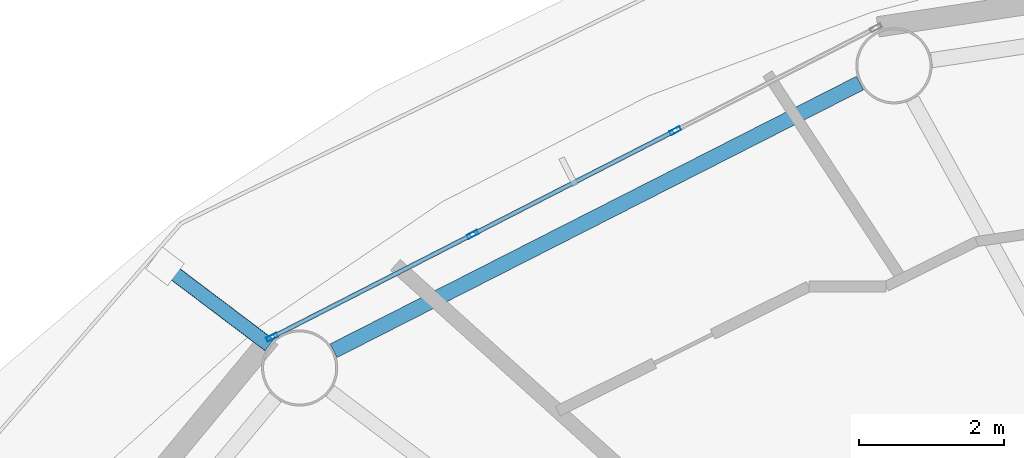
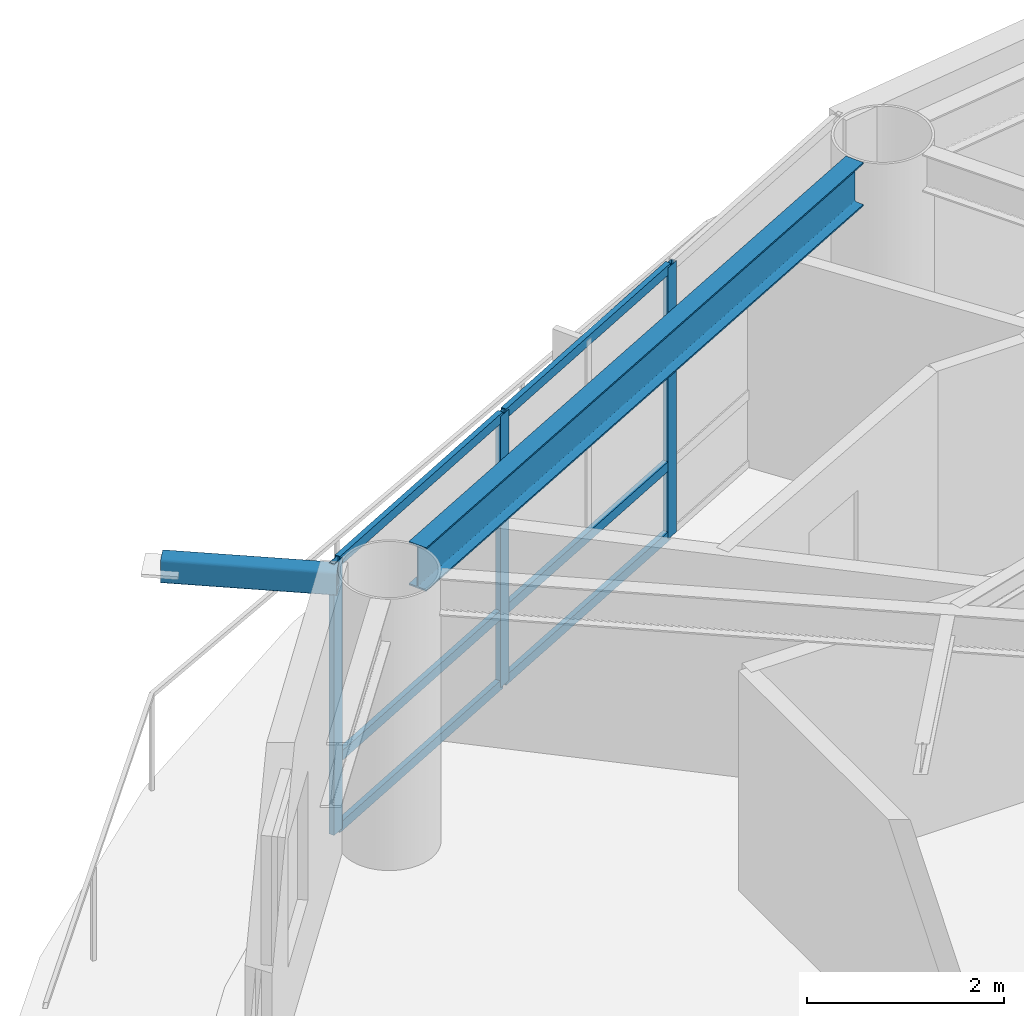
# One storey, part 8 of 23: 10 members, 1 beam, 1 element without a shape of its own.
"""IFC4 building model written with IfcOpenShell, lengths in metres."""

from ifc_helpers import new_model, si_unit, direction, frame, origin, origin_2d, place, context, subcontext, project, spatial, hollow_rectangle, i_section, extrude, material, layer, layer_set, material_profile, profile_set, type_object, element, aggregate, save


model = new_model("IFC4")

# Units and contexts
model_context = context("Model", 3, precision=1e-05, world=origin(), true_north=direction((0.0, 1.0)))
body_context = subcontext(model_context, "Body", "Model", "MODEL_VIEW")
ifc_project = project(units=[si_unit("LENGTHUNIT", "METRE"), si_unit("AREAUNIT", "SQUARE_METRE"), si_unit("VOLUMEUNIT", "CUBIC_METRE"), si_unit("PLANEANGLEUNIT", "RADIAN"), si_unit("MASSUNIT", "GRAM", prefix="KILO")], contexts=[model_context])

# Site, building, storey
site_placement = place(None, origin())
site = spatial("IfcSite", under=ifc_project, at=site_placement, CompositionType="ELEMENT")
building_placement = place(site_placement, origin())
building = spatial("IfcBuilding", under=site, at=building_placement, Name="Sarneth Arch Tower", CompositionType="ELEMENT")
storey_placement = place(building_placement, frame((0.0, 0.0, 249.60009765625)))
storey = spatial("IfcBuildingStorey", under=building, at=storey_placement, Name="L64", CompositionType="ELEMENT", Elevation=249.60009765625)

# Beam
ifc_material_1 = material(Name="Steel S355", Category="steel")
ifc_material_profile_1 = material_profile(ifc_material_1, i_section(OverallWidth=0.2109375, OverallDepth=0.5390625, WebThickness=0.01171875, FlangeThickness=0.018798828125, FilletRadius=0.01806640625, at=origin_2d()), Name="W530x109")
ifc_profile_set_1 = profile_set([ifc_material_profile_1], Name="Steel S355")
beam_type = type_object("IfcBeamType", Name="BM-RAD-530B", PredefinedType="BEAM", material=ifc_profile_set_1)
beam_placement = place(storey_placement, frame((37.7412109375, 59.50048828125, 3.09033203125), z_axis=(-0.891368271482, -0.453279830342, 0.0), x_axis=(0.453279830342, -0.891368271482, 0.0)))
element("IfcBeam", 1, at=beam_placement, inside=storey, type_object=beam_type, Name="L64 Perimeter spandrel beam 06", PredefinedType="BEAM", context=body_context, shape_type="SweptSolid", body=[
    extrude(i_section(OverallWidth=0.2109375, OverallDepth=0.5390625, WebThickness=0.01171875, FlangeThickness=0.018798828125, FilletRadius=0.01806640625, at=origin_2d()), origin(), (0.0, 0.0, 1.0), 8.1318359375),
])

# Curtain wall, members
ifc_material_2 = material(Name="Anodised aluminium Type AA25 and solar-control low-e laminated IGU", Category="aluminium")
ifc_layer = layer(ifc_material_2, 0.179931640625)
ifc_layer_set = layer_set([ifc_layer], Name="Anodised aluminium Type AA25 and solar-control low-e laminated IGU")
curtain_wall_type = type_object("IfcCurtainWallType", Name="CW-RES-HIGH", PredefinedType="NOTDEFINED", material=ifc_layer_set)
curtain_wall_placement = place(storey_placement, origin())
curtain_wall = element("IfcCurtainWall", 2, at=curtain_wall_placement, inside=storey, type_object=curtain_wall_type, Name="L64 Unitised curtain wall facet 06", PredefinedType="NOTDEFINED")
ifc_material_3 = material(Name="Anodised Aluminium 6063-T6", Category="aluminium")
ifc_material_profile_2 = material_profile(ifc_material_3, hollow_rectangle(XDim=0.06005859375, YDim=0.159912109375, WallThickness=0.00390625, at=origin_2d()), Name="AL-MULL-160x60x4")
ifc_profile_set_2 = profile_set([ifc_material_profile_2], Name="Anodised Aluminium 6063-T6")
member_type_1 = type_object("IfcMemberType", Name="CW-MULLION", PredefinedType="MULLION", material=ifc_profile_set_2)
member_1_placement = place(storey_placement, frame((35.197509765625, 58.844970703125, 0.0), z_axis=(0.0, 0.0, 1.0), x_axis=(0.455941901753, -0.890009540525, 0.0)))
member_1 = element("IfcMember", 3, at=member_1_placement, type_object=member_type_1, Name="CW-SYS-6 mullion 2", PredefinedType="MULLION", context=body_context, shape_type="SweptSolid", body=[
    extrude(hollow_rectangle(XDim=0.06005859375, YDim=0.159912109375, WallThickness=0.00390625, at=origin_2d()), origin(), (0.0, 0.0, 1.0), 3.35986328125),
])
member_2_placement = place(storey_placement, frame((32.407470703125, 57.415771484375, 0.0), z_axis=(0.0, 0.0, 1.0), x_axis=(0.455941901753, -0.890009540525, 0.0)))
member_2 = element("IfcMember", 4, at=member_2_placement, type_object=member_type_1, Name="CW-SYS-6 mullion 3", PredefinedType="MULLION", context=body_context, shape_type="SweptSolid", body=[
    extrude(hollow_rectangle(XDim=0.06005859375, YDim=0.159912109375, WallThickness=0.00390625, at=origin_2d()), origin(), (0.0, 0.0, 1.0), 3.35986328125),
])
member_3_placement = place(storey_placement, frame((29.644287109375, 56.000244140625, 0.0), z_axis=(0.0, 0.0, 1.0), x_axis=(0.455941901753, -0.890009540525, 0.0)))
member_3 = element("IfcMember", 5, at=member_3_placement, type_object=member_type_1, Name="CW-SYS-6 mullion 4", PredefinedType="MULLION", context=body_context, shape_type="SweptSolid", body=[
    extrude(hollow_rectangle(XDim=0.06005859375, YDim=0.159912109375, WallThickness=0.00390625, at=origin_2d()), origin(), (0.0, 0.0, 1.0), 3.35986328125),
])
ifc_material_4 = material(Name="Anodised Aluminium 6063-T6", Category="aluminium")
ifc_material_profile_3 = material_profile(ifc_material_4, hollow_rectangle(XDim=0.06005859375, YDim=0.1201171875, WallThickness=0.00390625, at=origin_2d()), Name="AL-TRAN-120x60x4")
ifc_profile_set_3 = profile_set([ifc_material_profile_3], Name="Anodised Aluminium 6063-T6")
member_type_2 = type_object("IfcMemberType", Name="CW-TRANSOM", PredefinedType="USERDEFINED", material=ifc_profile_set_3)
member_4_placement = place(storey_placement, frame((35.170654296875, 58.831298828125, 0.02978515625), z_axis=(-0.890017432405, -0.455926496286, 0.0), x_axis=(0.455926496286, -0.890017432405, 0.0)))
member_4 = element("IfcMember", 6, at=member_4_placement, type_object=member_type_2, Name="CW-SYS-6 transom 2.1", ObjectType="TRANSOM", PredefinedType="USERDEFINED", context=body_context, shape_type="SweptSolid", body=[
    extrude(hollow_rectangle(XDim=0.06005859375, YDim=0.1201171875, WallThickness=0.00390625, at=origin_2d()), origin(), (0.0, 0.0, 1.0), 3.07470703125),
])
member_5_placement = place(storey_placement, frame((35.170654296875, 58.831298828125, 0.89990234375), z_axis=(-0.890017432405, -0.455926496286, 0.0), x_axis=(0.455926496286, -0.890017432405, 0.0)))
member_5 = element("IfcMember", 7, at=member_5_placement, type_object=member_type_2, Name="CW-SYS-6 transom 2.2", ObjectType="TRANSOM", PredefinedType="USERDEFINED", context=body_context, shape_type="SweptSolid", body=[
    extrude(hollow_rectangle(XDim=0.06005859375, YDim=0.1201171875, WallThickness=0.00390625, at=origin_2d()), origin(), (0.0, 0.0, 1.0), 3.07470703125),
])
member_6_placement = place(storey_placement, frame((35.170654296875, 58.831298828125, 3.329833984375), z_axis=(-0.890017432405, -0.455926496286, 0.0), x_axis=(0.455926496286, -0.890017432405, 0.0)))
member_6 = element("IfcMember", 8, at=member_6_placement, type_object=member_type_2, Name="CW-SYS-6 transom 2.3", ObjectType="TRANSOM", PredefinedType="USERDEFINED", context=body_context, shape_type="SweptSolid", body=[
    extrude(hollow_rectangle(XDim=0.06005859375, YDim=0.1201171875, WallThickness=0.00390625, at=origin_2d()), origin(), (0.0, 0.0, 1.0), 3.07470703125),
])
member_7_placement = place(storey_placement, frame((32.380859375, 57.402099609375, 0.02978515625), z_axis=(-0.890022732705, -0.455916149384, 0.0), x_axis=(0.455916149384, -0.890022732705, 0.0)))
member_7 = element("IfcMember", 9, at=member_7_placement, type_object=member_type_2, Name="CW-SYS-6 transom 3.1", ObjectType="TRANSOM", PredefinedType="USERDEFINED", context=body_context, shape_type="SweptSolid", body=[
    extrude(hollow_rectangle(XDim=0.06005859375, YDim=0.1201171875, WallThickness=0.00390625, at=origin_2d()), origin(), (0.0, 0.0, 1.0), 3.044921875),
])
member_8_placement = place(storey_placement, frame((32.380859375, 57.402099609375, 0.89990234375), z_axis=(-0.890022732705, -0.455916149384, 0.0), x_axis=(0.455916149384, -0.890022732705, 0.0)))
member_8 = element("IfcMember", 10, at=member_8_placement, type_object=member_type_2, Name="CW-SYS-6 transom 3.2", ObjectType="TRANSOM", PredefinedType="USERDEFINED", context=body_context, shape_type="SweptSolid", body=[
    extrude(hollow_rectangle(XDim=0.06005859375, YDim=0.1201171875, WallThickness=0.00390625, at=origin_2d()), origin(), (0.0, 0.0, 1.0), 3.044921875),
])
member_9_placement = place(storey_placement, frame((32.380859375, 57.402099609375, 3.329833984375), z_axis=(-0.890022732705, -0.455916149384, 0.0), x_axis=(0.455916149384, -0.890022732705, 0.0)))
member_9 = element("IfcMember", 11, at=member_9_placement, type_object=member_type_2, Name="CW-SYS-6 transom 3.3", ObjectType="TRANSOM", PredefinedType="USERDEFINED", context=body_context, shape_type="SweptSolid", body=[
    extrude(hollow_rectangle(XDim=0.06005859375, YDim=0.1201171875, WallThickness=0.00390625, at=origin_2d()), origin(), (0.0, 0.0, 1.0), 3.044921875),
])
aggregate(curtain_wall, [member_1, member_2, member_3, member_4, member_5, member_6, member_7, member_8, member_9])

# Member
ifc_material_5 = material(Name="Steel S355", Category="steel")
ifc_material_profile_4 = material_profile(ifc_material_5, hollow_rectangle(XDim=0.199951171875, YDim=0.300048828125, WallThickness=0.012451171875, InnerFilletRadius=0.018798828125, OuterFilletRadius=0.03125, at=origin_2d()), Name="RHS300x200x12.5")
ifc_profile_set_4 = profile_set([ifc_material_profile_4], Name="Steel S355")
member_type_3 = type_object("IfcMemberType", Name="MEM-CANT-STRUT", PredefinedType="STRUT", material=ifc_profile_set_4)
member_10_placement = place(storey_placement, frame((29.60595703125, 55.892822265625, 3.199951171875), z_axis=(-0.797977476404, 0.602687271437, 0.0), x_axis=(-0.602687271437, -0.797977476404, 0.0)))
element("IfcMember", 12, at=member_10_placement, inside=storey, type_object=member_type_3, Name="L64 Balcony cantilever bracket 07", PredefinedType="STRUT", context=body_context, shape_type="SweptSolid", body=[
    extrude(hollow_rectangle(XDim=0.199951171875, YDim=0.300048828125, WallThickness=0.012451171875, InnerFilletRadius=0.018798828125, OuterFilletRadius=0.03125, at=origin_2d()), origin(), (0.0, 0.0, 1.0), 1.80029296875),
])

save(model, "model.ifc")
